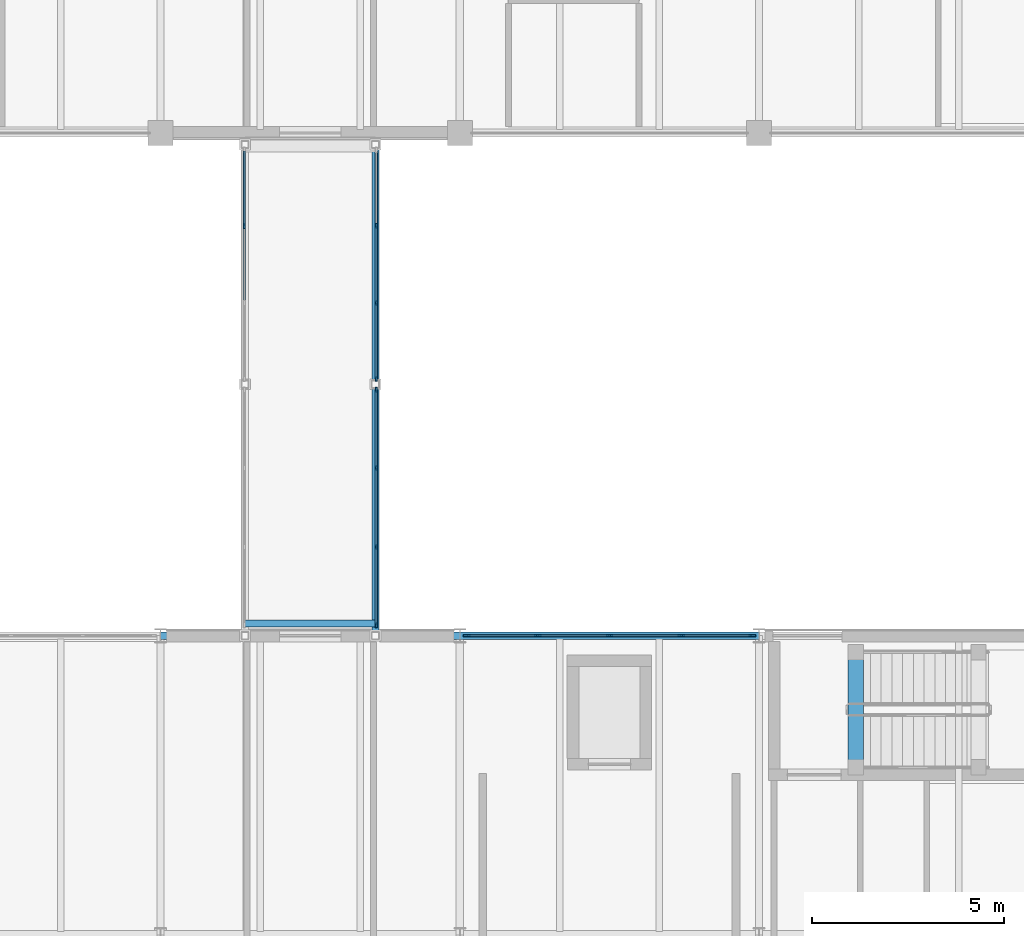
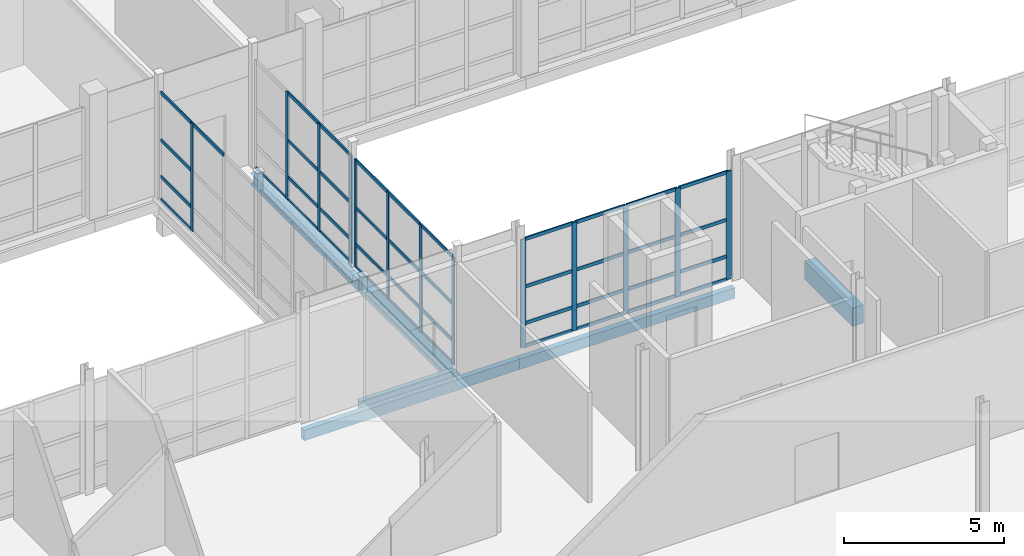
# One storey, part 64 of 131: 55 members, 6 beams, 4 elements without a shape of their own.
"""IFC4 building model written with IfcOpenShell, lengths in metres."""

from ifc_helpers import new_model, si_unit, direction, frame, origin, origin_2d, place, context, subcontext, project, spatial, rectangle, hollow_rectangle, i_section, extrude, material, layer, layer_set, material_profile, profile_set, type_object, element, aggregate, save


model = new_model("IFC4")

# Units and contexts
model_context = context("Model", 3, precision=1e-05, world=origin(), true_north=direction((0.0, 1.0)))
body_context = subcontext(model_context, "Body", "Model", "MODEL_VIEW")
ifc_project = project(units=[si_unit("LENGTHUNIT", "METRE"), si_unit("AREAUNIT", "SQUARE_METRE"), si_unit("VOLUMEUNIT", "CUBIC_METRE"), si_unit("PLANEANGLEUNIT", "RADIAN"), si_unit("MASSUNIT", "GRAM", prefix="KILO")], contexts=[model_context])

# Site, building, storey
site_placement = place(None, origin())
site = spatial("IfcSite", under=ifc_project, at=site_placement, CompositionType="ELEMENT")
building_placement = place(site_placement, origin())
building = spatial("IfcBuilding", under=site, at=building_placement, Name="Celorna Specialist Clinic", CompositionType="ELEMENT")
storey_placement = place(building_placement, origin())
storey = spatial("IfcBuildingStorey", under=building, at=storey_placement, Name="L00", CompositionType="ELEMENT", Elevation=0.0)

# Beams
ifc_material_1 = material(Name="Steel S355", Category="steel")
ifc_material_profile_1 = material_profile(ifc_material_1, i_section(OverallWidth=0.18994140625, OverallDepth=0.449951171875, WebThickness=0.009521484375, FlangeThickness=0.0146484375, at=origin_2d()), Name="IPE 450")
ifc_profile_set_1 = profile_set([ifc_material_profile_1], Name="Steel S355")
beam_type_1 = type_object("IfcBeamType", Name="BM-09", PredefinedType="BEAM", material=ifc_profile_set_1)
beam_1_placement = place(storey_placement, frame((146.0, 83.39990234375, -0.445068359375), z_axis=(0.0, 1.0, 0.0), x_axis=(-1.0, 0.0, 0.0)))
element("IfcBeam", 1, at=beam_1_placement, inside=storey, type_object=beam_type_1, Name="Bridge BR-05 edge girder BM-09 #112", PredefinedType="BEAM", context=body_context, shape_type="SweptSolid", body=[
    extrude(i_section(OverallWidth=0.18994140625, OverallDepth=0.449951171875, WebThickness=0.009521484375, FlangeThickness=0.0146484375, at=origin_2d()), origin(), (0.0, 0.0, 1.0), 6.550048828125),
])
beam_2_placement = place(storey_placement, frame((146.0, 89.949951171875, -0.445068359375), z_axis=(0.0, 1.0, 0.0), x_axis=(-1.0, 0.0, 0.0)))
element("IfcBeam", 2, at=beam_2_placement, inside=storey, type_object=beam_type_1, Name="Bridge BR-05 edge girder BM-09 #113", PredefinedType="BEAM", context=body_context, shape_type="SweptSolid", body=[
    extrude(i_section(OverallWidth=0.18994140625, OverallDepth=0.449951171875, WebThickness=0.009521484375, FlangeThickness=0.0146484375, at=origin_2d()), origin(), (0.0, 0.0, 1.0), 6.25),
])
ifc_material_profile_2 = material_profile(ifc_material_1, i_section(OverallWidth=0.179931640625, OverallDepth=0.39990234375, WebThickness=0.008544921875, FlangeThickness=0.013427734375, at=origin_2d()), Name="IPE 400")
ifc_profile_set_2 = profile_set([ifc_material_profile_2], Name="Steel S355")
beam_type_2 = type_object("IfcBeamType", Name="BM-10", PredefinedType="BEAM", material=ifc_profile_set_2)
beam_3_placement = place(storey_placement, frame((142.60009765625, 83.719970703125, -0.419921875), z_axis=(1.0, 0.0, 0.0), x_axis=(0.0, 1.0, 0.0)))
element("IfcBeam", 3, at=beam_3_placement, inside=storey, type_object=beam_type_2, Name="Bridge BR-05 transverse beam BM-10 #115", PredefinedType="BEAM", context=body_context, shape_type="SweptSolid", body=[
    extrude(i_section(OverallWidth=0.179931640625, OverallDepth=0.39990234375, WebThickness=0.008544921875, FlangeThickness=0.013427734375, at=origin_2d()), origin(), (0.0, 0.0, 1.0), 3.39990234375),
])
ifc_material_profile_3 = material_profile(ifc_material_1, hollow_rectangle(XDim=0.199951171875, YDim=0.39990234375, WallThickness=0.011962890625, at=origin_2d()), Name="RHS 200x400x12")
ifc_profile_set_3 = profile_set([ifc_material_profile_3], Name="Steel S355")
beam_type_3 = type_object("IfcBeamType", Name="BM-15", PredefinedType="SPANDREL", material=ifc_profile_set_3)
for number, where, z_axis, x_axis, name in (
    (4, (140.39990234375, 83.39990234375, -0.5400390625), (1.0, 0.0, 0.0), (0.0, 1.0, 0.0), "Spandrel beam BM-15 #554"),
    (5, (148.199951171875, 83.39990234375, -0.5400390625), (1.0, 0.0, 0.0), (0.0, 1.0, 0.0), "Spandrel beam BM-15 #555"),
):
    element("IfcBeam", number, at=place(storey_placement, frame(where, z_axis=z_axis, x_axis=x_axis)), inside=storey, type_object=beam_type_3, Name=name, PredefinedType="SPANDREL", context=body_context, shape_type="SweptSolid", body=[
        extrude(hollow_rectangle(XDim=0.199951171875, YDim=0.39990234375, WallThickness=0.011962890625, at=origin_2d()), origin(), (0.0, 0.0, 1.0), 7.800048828125),
    ])
ifc_material_2 = material(Name="Concrete C35/45", Category="concrete")
ifc_material_profile_4 = material_profile(ifc_material_2, rectangle(XDim=0.39990234375, YDim=0.699951171875, at=origin_2d()), Name="RC 400x700")
ifc_profile_set_4 = profile_set([ifc_material_profile_4], Name="Concrete C35/45")
beam_type_4 = type_object("IfcBeamType", Name="BM-19", PredefinedType="BEAM", material=ifc_profile_set_4)
beam_4_placement = place(storey_placement, frame((158.52001953125, 79.969970703125, -0.27490234375), z_axis=(0.0, 1.0, 0.0), x_axis=(-1.0, 0.0, 0.0)))
element("IfcBeam", 6, at=beam_4_placement, inside=storey, type_object=beam_type_4, Name="Stair ST-12 floor landing trimmer beam L00", PredefinedType="BEAM", context=body_context, shape_type="SweptSolid", body=[
    extrude(rectangle(XDim=0.39990234375, YDim=0.699951171875, at=origin_2d()), origin(), (0.0, 0.0, 1.0), 3.0),
])

# Curtain wall, members
ifc_material_3 = material(Name="Thermally broken aluminium and solar-control glass curtain wall", Category="aluminium")
ifc_layer_1 = layer(ifc_material_3, 0.159912109375, Name="Thermally broken aluminium and solar-control glass curtain wall")
ifc_layer_set_1 = layer_set([ifc_layer_1], Name="Thermally broken aluminium and solar-control glass curtain wall")
curtain_wall_type_1 = type_object("IfcCurtainWallType", Name="CW-34", PredefinedType="NOTDEFINED", material=ifc_layer_set_1)
curtain_wall_1_placement = place(storey_placement, origin())
curtain_wall_1 = element("IfcCurtainWall", 7, at=curtain_wall_1_placement, inside=storey, type_object=curtain_wall_type_1, Name="Curtain wall CW-34 #71", PredefinedType="NOTDEFINED")
ifc_material_4 = material(Name="Anodized aluminium mullion", Category="aluminium")
ifc_material_profile_5 = material_profile(ifc_material_4, rectangle(XDim=0.050048828125, YDim=0.179931640625, at=origin_2d()), Name="ALU MULLION 50x180")
ifc_profile_set_5 = profile_set([ifc_material_profile_5], Name="Anodized aluminium mullion")
member_type_1 = type_object("IfcMemberType", Name="ML-02", PredefinedType="MULLION", material=ifc_profile_set_5)
member_1_placement = place(storey_placement, frame((148.37890625, 83.39990234375, 0.0), z_axis=(0.0, 0.0, 1.0), x_axis=(0.0, 1.0, 0.0)))
member_1 = element("IfcMember", 8, at=member_1_placement, type_object=member_type_1, Name="CW-34 mullion 1", PredefinedType="MULLION", context=body_context, shape_type="SweptSolid", body=[
    extrude(rectangle(XDim=0.050048828125, YDim=0.179931640625, at=origin_2d()), origin(), (0.0, 0.0, 1.0), 4.139892578125),
])
member_2_placement = place(storey_placement, frame((150.22705078125, 83.39990234375, 0.0), z_axis=(0.0, 0.0, 1.0), x_axis=(0.0, 1.0, 0.0)))
member_2 = element("IfcMember", 9, at=member_2_placement, type_object=member_type_1, Name="CW-34 mullion 2", PredefinedType="MULLION", context=body_context, shape_type="SweptSolid", body=[
    extrude(rectangle(XDim=0.050048828125, YDim=0.179931640625, at=origin_2d()), origin(), (0.0, 0.0, 1.0), 4.139892578125),
])
member_3_placement = place(storey_placement, frame((152.10009765625, 83.39990234375, 0.0), z_axis=(0.0, 0.0, 1.0), x_axis=(0.0, 1.0, 0.0)))
member_3 = element("IfcMember", 10, at=member_3_placement, type_object=member_type_1, Name="CW-34 mullion 3", PredefinedType="MULLION", context=body_context, shape_type="SweptSolid", body=[
    extrude(rectangle(XDim=0.050048828125, YDim=0.179931640625, at=origin_2d()), origin(), (0.0, 0.0, 1.0), 4.139892578125),
])
member_4_placement = place(storey_placement, frame((153.972900390625, 83.39990234375, 0.0), z_axis=(0.0, 0.0, 1.0), x_axis=(0.0, 1.0, 0.0)))
member_4 = element("IfcMember", 11, at=member_4_placement, type_object=member_type_1, Name="CW-34 mullion 4", PredefinedType="MULLION", context=body_context, shape_type="SweptSolid", body=[
    extrude(rectangle(XDim=0.050048828125, YDim=0.179931640625, at=origin_2d()), origin(), (0.0, 0.0, 1.0), 4.139892578125),
])
member_5_placement = place(storey_placement, frame((155.821044921875, 83.39990234375, 0.0), z_axis=(0.0, 0.0, 1.0), x_axis=(0.0, 1.0, 0.0)))
member_5 = element("IfcMember", 12, at=member_5_placement, type_object=member_type_1, Name="CW-34 mullion 5", PredefinedType="MULLION", context=body_context, shape_type="SweptSolid", body=[
    extrude(rectangle(XDim=0.050048828125, YDim=0.179931640625, at=origin_2d()), origin(), (0.0, 0.0, 1.0), 4.139892578125),
])

# Curtain wall, member
ifc_layer_2 = layer(ifc_material_3, 0.159912109375, Name="Thermally broken aluminium and solar-control glass curtain wall")
ifc_layer_set_2 = layer_set([ifc_layer_2], Name="Thermally broken aluminium and solar-control glass curtain wall")
curtain_wall_type_2 = type_object("IfcCurtainWallType", Name="CW-117", PredefinedType="NOTDEFINED", material=ifc_layer_set_2)
curtain_wall_2_placement = place(storey_placement, origin())
curtain_wall_2 = element("IfcCurtainWall", 13, at=curtain_wall_2_placement, inside=storey, type_object=curtain_wall_type_2, Name="Curtain wall CW-117 #217", PredefinedType="NOTDEFINED")
ifc_material_profile_6 = material_profile(ifc_material_4, rectangle(XDim=0.050048828125, YDim=0.139892578125, at=origin_2d()), Name="ALU MULLION 50x140")
ifc_profile_set_6 = profile_set([ifc_material_profile_6], Name="Anodized aluminium mullion")
member_type_2 = type_object("IfcMemberType", Name="ML-03", PredefinedType="MULLION", material=ifc_profile_set_6)
member_6_placement = place(storey_placement, frame((142.580078125, 94.07666015625, 0.0), z_axis=(0.0, 0.0, 1.0), x_axis=(-1.0, 0.0, 0.0)))
member_6 = element("IfcMember", 14, at=member_6_placement, type_object=member_type_2, Name="CW-117 mullion 3", PredefinedType="MULLION", context=body_context, shape_type="SweptSolid", body=[
    extrude(rectangle(XDim=0.050048828125, YDim=0.139892578125, at=origin_2d()), origin(), (0.0, 0.0, 1.0), 4.1298828125),
])

# Curtain wall, members
curtain_wall_3_placement = place(storey_placement, origin())
curtain_wall_3 = element("IfcCurtainWall", 15, at=curtain_wall_3_placement, inside=storey, type_object=curtain_wall_type_2, Name="Curtain wall CW-117 #218", PredefinedType="NOTDEFINED")
member_7_placement = place(storey_placement, frame((146.02001953125, 94.07666015625, 0.0), z_axis=(0.0, 0.0, 1.0), x_axis=(1.0, 0.0, 0.0)))
member_7 = element("IfcMember", 16, at=member_7_placement, type_object=member_type_2, Name="CW-117 mullion 2", PredefinedType="MULLION", context=body_context, shape_type="SweptSolid", body=[
    extrude(rectangle(XDim=0.050048828125, YDim=0.139892578125, at=origin_2d()), origin(), (0.0, 0.0, 1.0), 4.1298828125),
])
member_8_placement = place(storey_placement, frame((146.02001953125, 92.0732421875, 0.0), z_axis=(0.0, 0.0, 1.0), x_axis=(1.0, 0.0, 0.0)))
member_8 = element("IfcMember", 17, at=member_8_placement, type_object=member_type_2, Name="CW-117 mullion 3", PredefinedType="MULLION", context=body_context, shape_type="SweptSolid", body=[
    extrude(rectangle(XDim=0.050048828125, YDim=0.139892578125, at=origin_2d()), origin(), (0.0, 0.0, 1.0), 4.1298828125),
])
member_9_placement = place(storey_placement, frame((146.02001953125, 90.094970703125, 0.0), z_axis=(0.0, 0.0, 1.0), x_axis=(1.0, 0.0, 0.0)))
member_9 = element("IfcMember", 18, at=member_9_placement, type_object=member_type_2, Name="CW-117 mullion 4", PredefinedType="MULLION", context=body_context, shape_type="SweptSolid", body=[
    extrude(rectangle(XDim=0.050048828125, YDim=0.139892578125, at=origin_2d()), origin(), (0.0, 0.0, 1.0), 4.1298828125),
])

ifc_layer_3 = layer(ifc_material_3, 0.159912109375, Name="Thermally broken aluminium and solar-control glass curtain wall")
ifc_layer_set_3 = layer_set([ifc_layer_3], Name="Thermally broken aluminium and solar-control glass curtain wall")
curtain_wall_type_3 = type_object("IfcCurtainWallType", Name="CW-116", PredefinedType="NOTDEFINED", material=ifc_layer_set_3)
curtain_wall_4_placement = place(storey_placement, origin())
curtain_wall_4 = element("IfcCurtainWall", 19, at=curtain_wall_4_placement, inside=storey, type_object=curtain_wall_type_3, Name="Curtain wall CW-116 #219", PredefinedType="NOTDEFINED")
member_10_placement = place(storey_placement, frame((146.02001953125, 89.804931640625, 0.0), z_axis=(0.0, 0.0, 1.0), x_axis=(1.0, 0.0, 0.0)))
member_10 = element("IfcMember", 20, at=member_10_placement, type_object=member_type_2, Name="CW-116 mullion 1", PredefinedType="MULLION", context=body_context, shape_type="SweptSolid", body=[
    extrude(rectangle(XDim=0.050048828125, YDim=0.139892578125, at=origin_2d()), origin(), (0.0, 0.0, 1.0), 4.1298828125),
])
member_11_placement = place(storey_placement, frame((146.02001953125, 87.77001953125, 0.0), z_axis=(0.0, 0.0, 1.0), x_axis=(1.0, 0.0, 0.0)))
member_11 = element("IfcMember", 21, at=member_11_placement, type_object=member_type_2, Name="CW-116 mullion 2", PredefinedType="MULLION", context=body_context, shape_type="SweptSolid", body=[
    extrude(rectangle(XDim=0.050048828125, YDim=0.139892578125, at=origin_2d()), origin(), (0.0, 0.0, 1.0), 4.1298828125),
])
member_12_placement = place(storey_placement, frame((146.02001953125, 85.7099609375, 0.0), z_axis=(0.0, 0.0, 1.0), x_axis=(1.0, 0.0, 0.0)))
member_12 = element("IfcMember", 22, at=member_12_placement, type_object=member_type_2, Name="CW-116 mullion 3", PredefinedType="MULLION", context=body_context, shape_type="SweptSolid", body=[
    extrude(rectangle(XDim=0.050048828125, YDim=0.139892578125, at=origin_2d()), origin(), (0.0, 0.0, 1.0), 4.1298828125),
])
member_13_placement = place(storey_placement, frame((146.02001953125, 83.675048828125, 0.0), z_axis=(0.0, 0.0, 1.0), x_axis=(1.0, 0.0, 0.0)))
member_13 = element("IfcMember", 23, at=member_13_placement, type_object=member_type_2, Name="CW-116 mullion 4", PredefinedType="MULLION", context=body_context, shape_type="SweptSolid", body=[
    extrude(rectangle(XDim=0.050048828125, YDim=0.139892578125, at=origin_2d()), origin(), (0.0, 0.0, 1.0), 4.1298828125),
])

# Member
ifc_material_5 = material(Name="Anodized aluminium transom", Category="aluminium")
ifc_material_profile_7 = material_profile(ifc_material_5, rectangle(XDim=0.050048828125, YDim=0.1298828125, at=origin_2d()), Name="ALU TRANSOM 50x130")
ifc_profile_set_7 = profile_set([ifc_material_profile_7], Name="Anodized aluminium transom")
member_type_3 = type_object("IfcMemberType", Name="TR-01", PredefinedType="USERDEFINED", material=ifc_profile_set_7)
member_14_placement = place(storey_placement, frame((148.404052734375, 83.39990234375, 0.02490234375), z_axis=(1.0, 0.0, 0.0), x_axis=(0.0, 1.0, 0.0)))
member_14 = element("IfcMember", 24, at=member_14_placement, type_object=member_type_3, Name="CW-34 transom 1.1", ObjectType="TRANSOM", PredefinedType="USERDEFINED", context=body_context, shape_type="SweptSolid", body=[
    extrude(rectangle(XDim=0.050048828125, YDim=0.1298828125, at=origin_2d()), origin(), (0.0, 0.0, 1.0), 1.7978515625),
])

member_15_placement = place(storey_placement, frame((148.404052734375, 83.39990234375, 0.89990234375), z_axis=(1.0, 0.0, 0.0), x_axis=(0.0, 1.0, 0.0)))
member_15 = element("IfcMember", 25, at=member_15_placement, type_object=member_type_3, Name="CW-34 transom 1.2", ObjectType="TRANSOM", PredefinedType="USERDEFINED", context=body_context, shape_type="SweptSolid", body=[
    extrude(rectangle(XDim=0.050048828125, YDim=0.1298828125, at=origin_2d()), origin(), (0.0, 0.0, 1.0), 1.7978515625),
])

member_16_placement = place(storey_placement, frame((148.404052734375, 83.39990234375, 2.300048828125), z_axis=(1.0, 0.0, 0.0), x_axis=(0.0, 1.0, 0.0)))
member_16 = element("IfcMember", 26, at=member_16_placement, type_object=member_type_3, Name="CW-34 transom 1.3", ObjectType="TRANSOM", PredefinedType="USERDEFINED", context=body_context, shape_type="SweptSolid", body=[
    extrude(rectangle(XDim=0.050048828125, YDim=0.1298828125, at=origin_2d()), origin(), (0.0, 0.0, 1.0), 1.7978515625),
])

member_17_placement = place(storey_placement, frame((148.404052734375, 83.39990234375, 4.114990234375), z_axis=(1.0, 0.0, 0.0), x_axis=(0.0, 1.0, 0.0)))
member_17 = element("IfcMember", 27, at=member_17_placement, type_object=member_type_3, Name="CW-34 transom 1.4", ObjectType="TRANSOM", PredefinedType="USERDEFINED", context=body_context, shape_type="SweptSolid", body=[
    extrude(rectangle(XDim=0.050048828125, YDim=0.1298828125, at=origin_2d()), origin(), (0.0, 0.0, 1.0), 1.7978515625),
])

member_18_placement = place(storey_placement, frame((150.251953125, 83.39990234375, 0.02490234375), z_axis=(1.0, 0.0, 0.0), x_axis=(0.0, 1.0, 0.0)))
member_18 = element("IfcMember", 28, at=member_18_placement, type_object=member_type_3, Name="CW-34 transom 2.1", ObjectType="TRANSOM", PredefinedType="USERDEFINED", context=body_context, shape_type="SweptSolid", body=[
    extrude(rectangle(XDim=0.050048828125, YDim=0.1298828125, at=origin_2d()), origin(), (0.0, 0.0, 1.0), 1.822998046875),
])

member_19_placement = place(storey_placement, frame((150.251953125, 83.39990234375, 0.89990234375), z_axis=(1.0, 0.0, 0.0), x_axis=(0.0, 1.0, 0.0)))
member_19 = element("IfcMember", 29, at=member_19_placement, type_object=member_type_3, Name="CW-34 transom 2.2", ObjectType="TRANSOM", PredefinedType="USERDEFINED", context=body_context, shape_type="SweptSolid", body=[
    extrude(rectangle(XDim=0.050048828125, YDim=0.1298828125, at=origin_2d()), origin(), (0.0, 0.0, 1.0), 1.822998046875),
])

member_20_placement = place(storey_placement, frame((150.251953125, 83.39990234375, 2.300048828125), z_axis=(1.0, 0.0, 0.0), x_axis=(0.0, 1.0, 0.0)))
member_20 = element("IfcMember", 30, at=member_20_placement, type_object=member_type_3, Name="CW-34 transom 2.3", ObjectType="TRANSOM", PredefinedType="USERDEFINED", context=body_context, shape_type="SweptSolid", body=[
    extrude(rectangle(XDim=0.050048828125, YDim=0.1298828125, at=origin_2d()), origin(), (0.0, 0.0, 1.0), 1.822998046875),
])

member_21_placement = place(storey_placement, frame((150.251953125, 83.39990234375, 4.114990234375), z_axis=(1.0, 0.0, 0.0), x_axis=(0.0, 1.0, 0.0)))
member_21 = element("IfcMember", 31, at=member_21_placement, type_object=member_type_3, Name="CW-34 transom 2.4", ObjectType="TRANSOM", PredefinedType="USERDEFINED", context=body_context, shape_type="SweptSolid", body=[
    extrude(rectangle(XDim=0.050048828125, YDim=0.1298828125, at=origin_2d()), origin(), (0.0, 0.0, 1.0), 1.822998046875),
])

member_22_placement = place(storey_placement, frame((152.125, 83.39990234375, 0.02490234375), z_axis=(1.0, 0.0, 0.0), x_axis=(0.0, 1.0, 0.0)))
member_22 = element("IfcMember", 32, at=member_22_placement, type_object=member_type_3, Name="CW-34 transom 3.1", ObjectType="TRANSOM", PredefinedType="USERDEFINED", context=body_context, shape_type="SweptSolid", body=[
    extrude(rectangle(XDim=0.050048828125, YDim=0.1298828125, at=origin_2d()), origin(), (0.0, 0.0, 1.0), 1.822998046875),
])

member_23_placement = place(storey_placement, frame((152.125, 83.39990234375, 0.89990234375), z_axis=(1.0, 0.0, 0.0), x_axis=(0.0, 1.0, 0.0)))
member_23 = element("IfcMember", 33, at=member_23_placement, type_object=member_type_3, Name="CW-34 transom 3.2", ObjectType="TRANSOM", PredefinedType="USERDEFINED", context=body_context, shape_type="SweptSolid", body=[
    extrude(rectangle(XDim=0.050048828125, YDim=0.1298828125, at=origin_2d()), origin(), (0.0, 0.0, 1.0), 1.822998046875),
])

member_24_placement = place(storey_placement, frame((152.125, 83.39990234375, 2.300048828125), z_axis=(1.0, 0.0, 0.0), x_axis=(0.0, 1.0, 0.0)))
member_24 = element("IfcMember", 34, at=member_24_placement, type_object=member_type_3, Name="CW-34 transom 3.3", ObjectType="TRANSOM", PredefinedType="USERDEFINED", context=body_context, shape_type="SweptSolid", body=[
    extrude(rectangle(XDim=0.050048828125, YDim=0.1298828125, at=origin_2d()), origin(), (0.0, 0.0, 1.0), 1.822998046875),
])

member_25_placement = place(storey_placement, frame((152.125, 83.39990234375, 4.114990234375), z_axis=(1.0, 0.0, 0.0), x_axis=(0.0, 1.0, 0.0)))
member_25 = element("IfcMember", 35, at=member_25_placement, type_object=member_type_3, Name="CW-34 transom 3.4", ObjectType="TRANSOM", PredefinedType="USERDEFINED", context=body_context, shape_type="SweptSolid", body=[
    extrude(rectangle(XDim=0.050048828125, YDim=0.1298828125, at=origin_2d()), origin(), (0.0, 0.0, 1.0), 1.822998046875),
])

member_26_placement = place(storey_placement, frame((153.998046875, 83.39990234375, 0.02490234375), z_axis=(1.0, 0.0, 0.0), x_axis=(0.0, 1.0, 0.0)))
member_26 = element("IfcMember", 36, at=member_26_placement, type_object=member_type_3, Name="CW-34 transom 4.1", ObjectType="TRANSOM", PredefinedType="USERDEFINED", context=body_context, shape_type="SweptSolid", body=[
    extrude(rectangle(XDim=0.050048828125, YDim=0.1298828125, at=origin_2d()), origin(), (0.0, 0.0, 1.0), 1.7978515625),
])

member_27_placement = place(storey_placement, frame((153.998046875, 83.39990234375, 0.89990234375), z_axis=(1.0, 0.0, 0.0), x_axis=(0.0, 1.0, 0.0)))
member_27 = element("IfcMember", 37, at=member_27_placement, type_object=member_type_3, Name="CW-34 transom 4.2", ObjectType="TRANSOM", PredefinedType="USERDEFINED", context=body_context, shape_type="SweptSolid", body=[
    extrude(rectangle(XDim=0.050048828125, YDim=0.1298828125, at=origin_2d()), origin(), (0.0, 0.0, 1.0), 1.7978515625),
])

member_28_placement = place(storey_placement, frame((153.998046875, 83.39990234375, 2.300048828125), z_axis=(1.0, 0.0, 0.0), x_axis=(0.0, 1.0, 0.0)))
member_28 = element("IfcMember", 38, at=member_28_placement, type_object=member_type_3, Name="CW-34 transom 4.3", ObjectType="TRANSOM", PredefinedType="USERDEFINED", context=body_context, shape_type="SweptSolid", body=[
    extrude(rectangle(XDim=0.050048828125, YDim=0.1298828125, at=origin_2d()), origin(), (0.0, 0.0, 1.0), 1.7978515625),
])

member_29_placement = place(storey_placement, frame((153.998046875, 83.39990234375, 4.114990234375), z_axis=(1.0, 0.0, 0.0), x_axis=(0.0, 1.0, 0.0)))
member_29 = element("IfcMember", 39, at=member_29_placement, type_object=member_type_3, Name="CW-34 transom 4.4", ObjectType="TRANSOM", PredefinedType="USERDEFINED", context=body_context, shape_type="SweptSolid", body=[
    extrude(rectangle(XDim=0.050048828125, YDim=0.1298828125, at=origin_2d()), origin(), (0.0, 0.0, 1.0), 1.7978515625),
])

aggregate(curtain_wall_1, [member_1, member_2, member_3, member_4, member_5, member_14, member_15, member_16, member_17, member_18, member_19, member_20, member_21, member_22, member_23, member_24, member_25, member_26, member_27, member_28, member_29])

member_30_placement = place(storey_placement, frame((142.580078125, 92.098388671875, 4.10498046875), z_axis=(0.0, 1.0, 0.0), x_axis=(-1.0, 0.0, 0.0)))
member_30 = element("IfcMember", 40, at=member_30_placement, type_object=member_type_3, Name="CW-117 transom 2.4", ObjectType="TRANSOM", PredefinedType="USERDEFINED", context=body_context, shape_type="SweptSolid", body=[
    extrude(rectangle(XDim=0.050048828125, YDim=0.1298828125, at=origin_2d()), origin(), (0.0, 0.0, 1.0), 1.953369140625),
])

member_31_placement = place(storey_placement, frame((142.580078125, 94.1015625, 0.02490234375), z_axis=(0.0, 1.0, 0.0), x_axis=(-1.0, 0.0, 0.0)))
member_31 = element("IfcMember", 41, at=member_31_placement, type_object=member_type_3, Name="CW-117 transom 3.1", ObjectType="TRANSOM", PredefinedType="USERDEFINED", context=body_context, shape_type="SweptSolid", body=[
    extrude(rectangle(XDim=0.050048828125, YDim=0.1298828125, at=origin_2d()), origin(), (0.0, 0.0, 1.0), 1.928466796875),
])

member_32_placement = place(storey_placement, frame((142.580078125, 94.1015625, 0.89990234375), z_axis=(0.0, 1.0, 0.0), x_axis=(-1.0, 0.0, 0.0)))
member_32 = element("IfcMember", 42, at=member_32_placement, type_object=member_type_3, Name="CW-117 transom 3.2", ObjectType="TRANSOM", PredefinedType="USERDEFINED", context=body_context, shape_type="SweptSolid", body=[
    extrude(rectangle(XDim=0.050048828125, YDim=0.1298828125, at=origin_2d()), origin(), (0.0, 0.0, 1.0), 1.928466796875),
])

member_33_placement = place(storey_placement, frame((142.580078125, 94.1015625, 2.300048828125), z_axis=(0.0, 1.0, 0.0), x_axis=(-1.0, 0.0, 0.0)))
member_33 = element("IfcMember", 43, at=member_33_placement, type_object=member_type_3, Name="CW-117 transom 3.3", ObjectType="TRANSOM", PredefinedType="USERDEFINED", context=body_context, shape_type="SweptSolid", body=[
    extrude(rectangle(XDim=0.050048828125, YDim=0.1298828125, at=origin_2d()), origin(), (0.0, 0.0, 1.0), 1.928466796875),
])

member_34_placement = place(storey_placement, frame((142.580078125, 94.1015625, 4.10498046875), z_axis=(0.0, 1.0, 0.0), x_axis=(-1.0, 0.0, 0.0)))
member_34 = element("IfcMember", 44, at=member_34_placement, type_object=member_type_3, Name="CW-117 transom 3.4", ObjectType="TRANSOM", PredefinedType="USERDEFINED", context=body_context, shape_type="SweptSolid", body=[
    extrude(rectangle(XDim=0.050048828125, YDim=0.1298828125, at=origin_2d()), origin(), (0.0, 0.0, 1.0), 1.928466796875),
])

aggregate(curtain_wall_2, [member_6, member_30, member_31, member_32, member_33, member_34])

member_35_placement = place(storey_placement, frame((146.02001953125, 96.030029296875, 0.02490234375), z_axis=(0.0, -1.0, 0.0), x_axis=(1.0, 0.0, 0.0)))
member_35 = element("IfcMember", 45, at=member_35_placement, type_object=member_type_3, Name="CW-117 transom 1.1", ObjectType="TRANSOM", PredefinedType="USERDEFINED", context=body_context, shape_type="SweptSolid", body=[
    extrude(rectangle(XDim=0.050048828125, YDim=0.1298828125, at=origin_2d()), origin(), (0.0, 0.0, 1.0), 1.928466796875),
])

member_36_placement = place(storey_placement, frame((146.02001953125, 94.0517578125, 0.02490234375), z_axis=(0.0, -1.0, 0.0), x_axis=(1.0, 0.0, 0.0)))
member_36 = element("IfcMember", 46, at=member_36_placement, type_object=member_type_3, Name="CW-117 transom 2.1", ObjectType="TRANSOM", PredefinedType="USERDEFINED", context=body_context, shape_type="SweptSolid", body=[
    extrude(rectangle(XDim=0.050048828125, YDim=0.1298828125, at=origin_2d()), origin(), (0.0, 0.0, 1.0), 1.953369140625),
])

member_37_placement = place(storey_placement, frame((146.02001953125, 94.0517578125, 0.89990234375), z_axis=(0.0, -1.0, 0.0), x_axis=(1.0, 0.0, 0.0)))
member_37 = element("IfcMember", 47, at=member_37_placement, type_object=member_type_3, Name="CW-117 transom 2.2", ObjectType="TRANSOM", PredefinedType="USERDEFINED", context=body_context, shape_type="SweptSolid", body=[
    extrude(rectangle(XDim=0.050048828125, YDim=0.1298828125, at=origin_2d()), origin(), (0.0, 0.0, 1.0), 1.953369140625),
])

member_38_placement = place(storey_placement, frame((146.02001953125, 94.0517578125, 2.300048828125), z_axis=(0.0, -1.0, 0.0), x_axis=(1.0, 0.0, 0.0)))
member_38 = element("IfcMember", 48, at=member_38_placement, type_object=member_type_3, Name="CW-117 transom 2.3", ObjectType="TRANSOM", PredefinedType="USERDEFINED", context=body_context, shape_type="SweptSolid", body=[
    extrude(rectangle(XDim=0.050048828125, YDim=0.1298828125, at=origin_2d()), origin(), (0.0, 0.0, 1.0), 1.953369140625),
])

member_39_placement = place(storey_placement, frame((146.02001953125, 94.0517578125, 4.10498046875), z_axis=(0.0, -1.0, 0.0), x_axis=(1.0, 0.0, 0.0)))
member_39 = element("IfcMember", 49, at=member_39_placement, type_object=member_type_3, Name="CW-117 transom 2.4", ObjectType="TRANSOM", PredefinedType="USERDEFINED", context=body_context, shape_type="SweptSolid", body=[
    extrude(rectangle(XDim=0.050048828125, YDim=0.1298828125, at=origin_2d()), origin(), (0.0, 0.0, 1.0), 1.953369140625),
])

member_40_placement = place(storey_placement, frame((146.02001953125, 92.04833984375, 0.02490234375), z_axis=(0.0, -1.0, 0.0), x_axis=(1.0, 0.0, 0.0)))
member_40 = element("IfcMember", 50, at=member_40_placement, type_object=member_type_3, Name="CW-117 transom 3.1", ObjectType="TRANSOM", PredefinedType="USERDEFINED", context=body_context, shape_type="SweptSolid", body=[
    extrude(rectangle(XDim=0.050048828125, YDim=0.1298828125, at=origin_2d()), origin(), (0.0, 0.0, 1.0), 1.92822265625),
])

member_41_placement = place(storey_placement, frame((146.02001953125, 92.04833984375, 0.89990234375), z_axis=(0.0, -1.0, 0.0), x_axis=(1.0, 0.0, 0.0)))
member_41 = element("IfcMember", 51, at=member_41_placement, type_object=member_type_3, Name="CW-117 transom 3.2", ObjectType="TRANSOM", PredefinedType="USERDEFINED", context=body_context, shape_type="SweptSolid", body=[
    extrude(rectangle(XDim=0.050048828125, YDim=0.1298828125, at=origin_2d()), origin(), (0.0, 0.0, 1.0), 1.92822265625),
])

member_42_placement = place(storey_placement, frame((146.02001953125, 92.04833984375, 2.300048828125), z_axis=(0.0, -1.0, 0.0), x_axis=(1.0, 0.0, 0.0)))
member_42 = element("IfcMember", 52, at=member_42_placement, type_object=member_type_3, Name="CW-117 transom 3.3", ObjectType="TRANSOM", PredefinedType="USERDEFINED", context=body_context, shape_type="SweptSolid", body=[
    extrude(rectangle(XDim=0.050048828125, YDim=0.1298828125, at=origin_2d()), origin(), (0.0, 0.0, 1.0), 1.92822265625),
])

member_43_placement = place(storey_placement, frame((146.02001953125, 92.04833984375, 4.10498046875), z_axis=(0.0, -1.0, 0.0), x_axis=(1.0, 0.0, 0.0)))
member_43 = element("IfcMember", 53, at=member_43_placement, type_object=member_type_3, Name="CW-117 transom 3.4", ObjectType="TRANSOM", PredefinedType="USERDEFINED", context=body_context, shape_type="SweptSolid", body=[
    extrude(rectangle(XDim=0.050048828125, YDim=0.1298828125, at=origin_2d()), origin(), (0.0, 0.0, 1.0), 1.92822265625),
])

aggregate(curtain_wall_3, [member_7, member_8, member_9, member_35, member_36, member_37, member_38, member_39, member_40, member_41, member_42, member_43])

member_44_placement = place(storey_placement, frame((146.02001953125, 89.780029296875, 0.02490234375), z_axis=(0.0, -1.0, 0.0), x_axis=(1.0, 0.0, 0.0)))
member_44 = element("IfcMember", 54, at=member_44_placement, type_object=member_type_3, Name="CW-116 transom 1.1", ObjectType="TRANSOM", PredefinedType="USERDEFINED", context=body_context, shape_type="SweptSolid", body=[
    extrude(rectangle(XDim=0.050048828125, YDim=0.1298828125, at=origin_2d()), origin(), (0.0, 0.0, 1.0), 1.985107421875),
])

member_45_placement = place(storey_placement, frame((146.02001953125, 89.780029296875, 0.89990234375), z_axis=(0.0, -1.0, 0.0), x_axis=(1.0, 0.0, 0.0)))
member_45 = element("IfcMember", 55, at=member_45_placement, type_object=member_type_3, Name="CW-116 transom 1.2", ObjectType="TRANSOM", PredefinedType="USERDEFINED", context=body_context, shape_type="SweptSolid", body=[
    extrude(rectangle(XDim=0.050048828125, YDim=0.1298828125, at=origin_2d()), origin(), (0.0, 0.0, 1.0), 1.985107421875),
])

member_46_placement = place(storey_placement, frame((146.02001953125, 89.780029296875, 2.300048828125), z_axis=(0.0, -1.0, 0.0), x_axis=(1.0, 0.0, 0.0)))
member_46 = element("IfcMember", 56, at=member_46_placement, type_object=member_type_3, Name="CW-116 transom 1.3", ObjectType="TRANSOM", PredefinedType="USERDEFINED", context=body_context, shape_type="SweptSolid", body=[
    extrude(rectangle(XDim=0.050048828125, YDim=0.1298828125, at=origin_2d()), origin(), (0.0, 0.0, 1.0), 1.985107421875),
])

member_47_placement = place(storey_placement, frame((146.02001953125, 89.780029296875, 4.10498046875), z_axis=(0.0, -1.0, 0.0), x_axis=(1.0, 0.0, 0.0)))
member_47 = element("IfcMember", 57, at=member_47_placement, type_object=member_type_3, Name="CW-116 transom 1.4", ObjectType="TRANSOM", PredefinedType="USERDEFINED", context=body_context, shape_type="SweptSolid", body=[
    extrude(rectangle(XDim=0.050048828125, YDim=0.1298828125, at=origin_2d()), origin(), (0.0, 0.0, 1.0), 1.985107421875),
])

member_48_placement = place(storey_placement, frame((146.02001953125, 87.7451171875, 0.02490234375), z_axis=(0.0, -1.0, 0.0), x_axis=(1.0, 0.0, 0.0)))
member_48 = element("IfcMember", 58, at=member_48_placement, type_object=member_type_3, Name="CW-116 transom 2.1", ObjectType="TRANSOM", PredefinedType="USERDEFINED", context=body_context, shape_type="SweptSolid", body=[
    extrude(rectangle(XDim=0.050048828125, YDim=0.1298828125, at=origin_2d()), origin(), (0.0, 0.0, 1.0), 2.010009765625),
])

member_49_placement = place(storey_placement, frame((146.02001953125, 87.7451171875, 0.89990234375), z_axis=(0.0, -1.0, 0.0), x_axis=(1.0, 0.0, 0.0)))
member_49 = element("IfcMember", 59, at=member_49_placement, type_object=member_type_3, Name="CW-116 transom 2.2", ObjectType="TRANSOM", PredefinedType="USERDEFINED", context=body_context, shape_type="SweptSolid", body=[
    extrude(rectangle(XDim=0.050048828125, YDim=0.1298828125, at=origin_2d()), origin(), (0.0, 0.0, 1.0), 2.010009765625),
])

member_50_placement = place(storey_placement, frame((146.02001953125, 87.7451171875, 2.300048828125), z_axis=(0.0, -1.0, 0.0), x_axis=(1.0, 0.0, 0.0)))
member_50 = element("IfcMember", 60, at=member_50_placement, type_object=member_type_3, Name="CW-116 transom 2.3", ObjectType="TRANSOM", PredefinedType="USERDEFINED", context=body_context, shape_type="SweptSolid", body=[
    extrude(rectangle(XDim=0.050048828125, YDim=0.1298828125, at=origin_2d()), origin(), (0.0, 0.0, 1.0), 2.010009765625),
])

member_51_placement = place(storey_placement, frame((146.02001953125, 87.7451171875, 4.10498046875), z_axis=(0.0, -1.0, 0.0), x_axis=(1.0, 0.0, 0.0)))
member_51 = element("IfcMember", 61, at=member_51_placement, type_object=member_type_3, Name="CW-116 transom 2.4", ObjectType="TRANSOM", PredefinedType="USERDEFINED", context=body_context, shape_type="SweptSolid", body=[
    extrude(rectangle(XDim=0.050048828125, YDim=0.1298828125, at=origin_2d()), origin(), (0.0, 0.0, 1.0), 2.010009765625),
])

member_52_placement = place(storey_placement, frame((146.02001953125, 85.68505859375, 0.02490234375), z_axis=(0.0, -1.0, 0.0), x_axis=(1.0, 0.0, 0.0)))
member_52 = element("IfcMember", 62, at=member_52_placement, type_object=member_type_3, Name="CW-116 transom 3.1", ObjectType="TRANSOM", PredefinedType="USERDEFINED", context=body_context, shape_type="SweptSolid", body=[
    extrude(rectangle(XDim=0.050048828125, YDim=0.1298828125, at=origin_2d()), origin(), (0.0, 0.0, 1.0), 1.985107421875),
])

member_53_placement = place(storey_placement, frame((146.02001953125, 85.68505859375, 0.89990234375), z_axis=(0.0, -1.0, 0.0), x_axis=(1.0, 0.0, 0.0)))
member_53 = element("IfcMember", 63, at=member_53_placement, type_object=member_type_3, Name="CW-116 transom 3.2", ObjectType="TRANSOM", PredefinedType="USERDEFINED", context=body_context, shape_type="SweptSolid", body=[
    extrude(rectangle(XDim=0.050048828125, YDim=0.1298828125, at=origin_2d()), origin(), (0.0, 0.0, 1.0), 1.985107421875),
])

member_54_placement = place(storey_placement, frame((146.02001953125, 85.68505859375, 2.300048828125), z_axis=(0.0, -1.0, 0.0), x_axis=(1.0, 0.0, 0.0)))
member_54 = element("IfcMember", 64, at=member_54_placement, type_object=member_type_3, Name="CW-116 transom 3.3", ObjectType="TRANSOM", PredefinedType="USERDEFINED", context=body_context, shape_type="SweptSolid", body=[
    extrude(rectangle(XDim=0.050048828125, YDim=0.1298828125, at=origin_2d()), origin(), (0.0, 0.0, 1.0), 1.985107421875),
])

member_55_placement = place(storey_placement, frame((146.02001953125, 85.68505859375, 4.10498046875), z_axis=(0.0, -1.0, 0.0), x_axis=(1.0, 0.0, 0.0)))
member_55 = element("IfcMember", 65, at=member_55_placement, type_object=member_type_3, Name="CW-116 transom 3.4", ObjectType="TRANSOM", PredefinedType="USERDEFINED", context=body_context, shape_type="SweptSolid", body=[
    extrude(rectangle(XDim=0.050048828125, YDim=0.1298828125, at=origin_2d()), origin(), (0.0, 0.0, 1.0), 1.985107421875),
])

aggregate(curtain_wall_4, [member_10, member_11, member_12, member_13, member_44, member_45, member_46, member_47, member_48, member_49, member_50, member_51, member_52, member_53, member_54, member_55])

save(model, "model.ifc")
